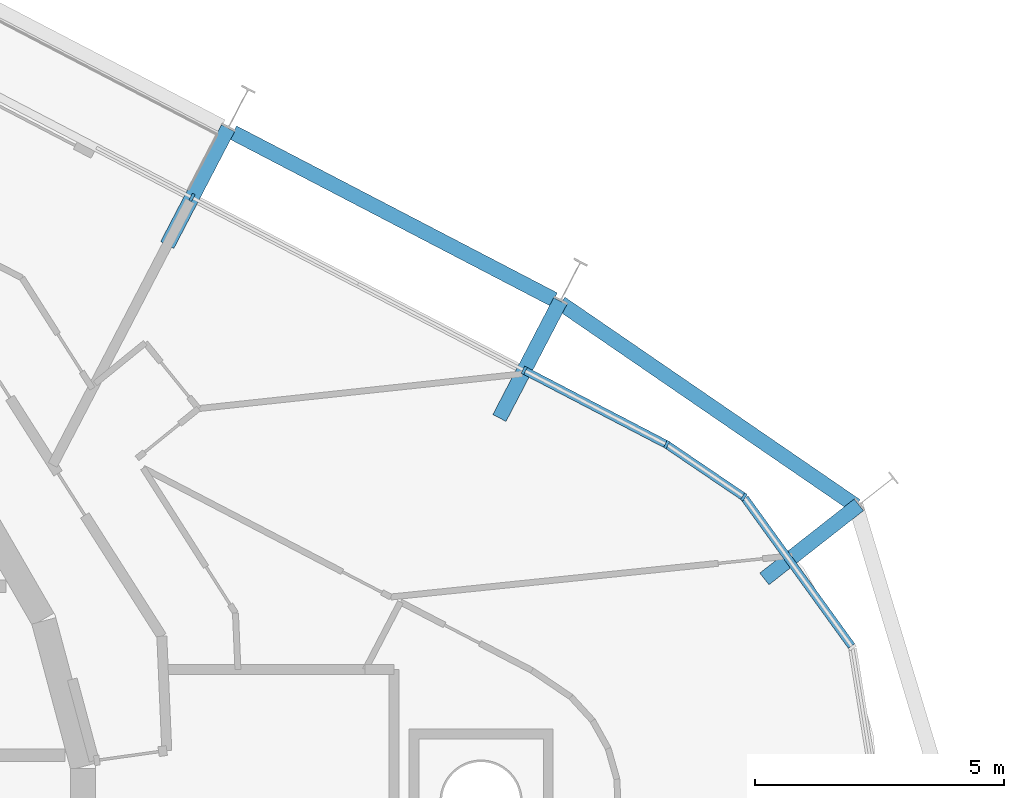
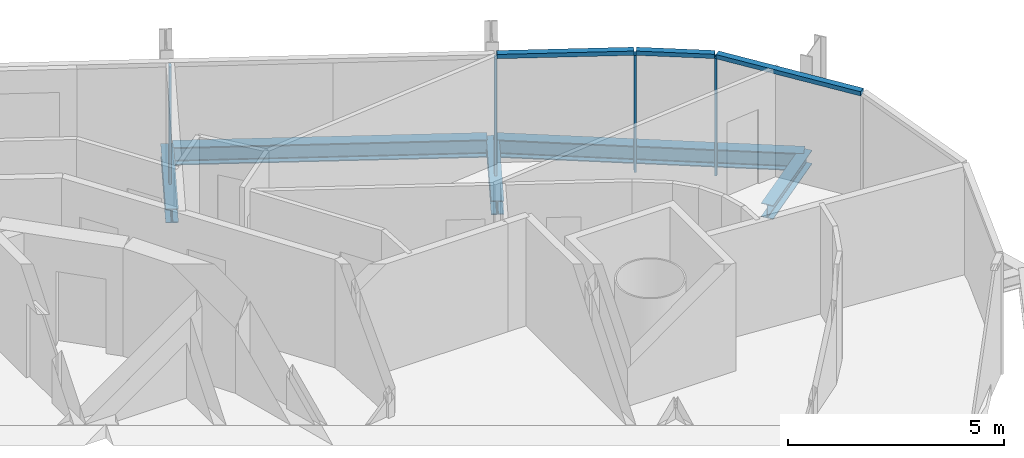
# One storey, part 9 of 18: 7 members, 5 beams, 2 elements without a shape of their own.
"""IFC4 building model written with IfcOpenShell, lengths in metres."""

from ifc_helpers import new_model, si_unit, direction, frame, origin, origin_2d, place, context, subcontext, project, spatial, rectangle, i_section, extrude, material, layer, layer_set, material_profile, profile_set, type_object, element, aggregate, save


model = new_model("IFC4")

# Units and contexts
model_context = context("Model", 3, precision=1e-05, world=origin(), true_north=direction((0.0, 1.0)))
body_context = subcontext(model_context, "Body", "Model", "MODEL_VIEW")
ifc_project = project(units=[si_unit("LENGTHUNIT", "METRE"), si_unit("AREAUNIT", "SQUARE_METRE"), si_unit("VOLUMEUNIT", "CUBIC_METRE"), si_unit("PLANEANGLEUNIT", "RADIAN"), si_unit("MASSUNIT", "GRAM", prefix="KILO")], contexts=[model_context])

# Site, building, storey
site_placement = place(None, origin())
site = spatial("IfcSite", under=ifc_project, at=site_placement, CompositionType="ELEMENT")
building_placement = place(site_placement, origin())
building = spatial("IfcBuilding", under=site, at=building_placement, Name="Spindle Arch Residences", CompositionType="ELEMENT")
storey_placement = place(building_placement, frame((0.0, 0.0, 254.699951171875)))
storey = spatial("IfcBuildingStorey", under=building, at=storey_placement, Name="L65", CompositionType="ELEMENT", Elevation=254.699951171875)

# Curtain wall, members
ifc_material_1 = material(Name="Aluminium bronze unitised frame with tinted glass", Category="aluminium")
ifc_layer_1 = layer(ifc_material_1, 0.159912109375)
ifc_layer_set_1 = layer_set([ifc_layer_1], Name="CW-D corner wall on the fillet arcs")
curtain_wall_type_1 = type_object("IfcCurtainWallType", Name="CW-D corner wall on the fillet arcs", PredefinedType="NOTDEFINED", material=ifc_layer_set_1)
curtain_wall_1_placement = place(storey_placement, origin())
curtain_wall_1 = element("IfcCurtainWall", 1, at=curtain_wall_1_placement, inside=storey, type_object=curtain_wall_type_1, Name="CW-D L65 run 1", PredefinedType="NOTDEFINED")
ifc_material_2 = material(Name="Aluminium bronze anodised mullion", Category="aluminium")
ifc_material_profile_1 = material_profile(ifc_material_2, rectangle(XDim=0.159912109375, YDim=0.06005859375, at=origin_2d()), Name="MU 60x160")
ifc_profile_set_1 = profile_set([ifc_material_profile_1], Name="Aluminium bronze anodised mullion")
member_type_1 = type_object("IfcMemberType", Name="Bronze mullion 60x160", PredefinedType="MULLION", material=ifc_profile_set_1)
member_1_placement = place(storey_placement, frame((24.93310546875, 6.971435546875, -0.3798828125), z_axis=(0.0, 0.0, 1.0), x_axis=(-0.561602105546, -0.827407441981, 0.0)))
member_1 = element("IfcMember", 2, at=member_1_placement, type_object=member_type_1, Name="CW-D mullion 05", PredefinedType="MULLION", context=body_context, shape_type="SweptSolid", body=[
    extrude(rectangle(XDim=0.159912109375, YDim=0.06005859375, at=origin_2d()), origin(), (0.0, 0.0, 1.0), 3.309814453125),
])
member_2_placement = place(storey_placement, frame((23.380859375, 8.02490234375, -0.3798828125), z_axis=(0.0, 0.0, 1.0), x_axis=(-0.461748613235, -0.887010833178, 0.0)))
member_2 = element("IfcMember", 3, at=member_2_placement, type_object=member_type_1, Name="CW-D mullion 06", PredefinedType="MULLION", context=body_context, shape_type="SweptSolid", body=[
    extrude(rectangle(XDim=0.159912109375, YDim=0.06005859375, at=origin_2d()), origin(), (0.0, 0.0, 1.0), 3.309814453125),
])

ifc_material_3 = material(Name="Aluminium bronze unitised frame with tinted glass", Category="aluminium")
ifc_layer_2 = layer(ifc_material_3, 0.159912109375)
ifc_layer_set_2 = layer_set([ifc_layer_2], Name="CW-C typical residential unitised wall")
curtain_wall_type_2 = type_object("IfcCurtainWallType", Name="CW-C typical residential unitised wall", PredefinedType="NOTDEFINED", material=ifc_layer_set_2)
curtain_wall_2_placement = place(storey_placement, origin())
curtain_wall_2 = element("IfcCurtainWall", 4, at=curtain_wall_2_placement, inside=storey, type_object=curtain_wall_type_2, Name="CW-C L65 run 2", PredefinedType="NOTDEFINED")
member_3_placement = place(storey_placement, frame((20.517333984375, 9.515625, -0.3798828125), z_axis=(0.0, 0.0, 1.0), x_axis=(-0.461748613235, -0.887010833178, 0.0)))
member_3 = element("IfcMember", 5, at=member_3_placement, type_object=member_type_1, Name="CW-C mullion 05", PredefinedType="MULLION", context=body_context, shape_type="SweptSolid", body=[
    extrude(rectangle(XDim=0.159912109375, YDim=0.06005859375, at=origin_2d()), origin(), (0.0, 0.0, 1.0), 3.309814453125),
])
member_4_placement = place(storey_placement, frame((13.837890625, 12.99267578125, -0.3798828125), z_axis=(0.0, 0.0, 1.0), x_axis=(-0.461748613235, -0.887010833178, 0.0)))
member_4 = element("IfcMember", 6, at=member_4_placement, type_object=member_type_1, Name="CW-C mullion 06", PredefinedType="MULLION", context=body_context, shape_type="SweptSolid", body=[
    extrude(rectangle(XDim=0.159912109375, YDim=0.06005859375, at=origin_2d()), origin(), (0.0, 0.0, 1.0), 3.309814453125),
])
aggregate(curtain_wall_2, [member_3, member_4])

# Member
ifc_material_4 = material(Name="Aluminium bronze anodised transom", Category="aluminium")
ifc_material_profile_2 = material_profile(ifc_material_4, rectangle(XDim=0.159912109375, YDim=0.1201171875, at=origin_2d()), Name="TR 120x160")
ifc_profile_set_2 = profile_set([ifc_material_profile_2], Name="Aluminium bronze anodised transom")
member_type_2 = type_object("IfcMemberType", Name="Bronze transom 120x160", PredefinedType="USERDEFINED", material=ifc_profile_set_2)
member_5_placement = place(storey_placement, frame((27.097412109375, 3.974365234375, 2.989990234375), z_axis=(-0.585456519469, 0.810703807695, 0.0), x_axis=(-0.810703807695, -0.585456519469, 0.0)))
member_5 = element("IfcMember", 7, at=member_5_placement, type_object=member_type_2, Name="CW-D transom 04", ObjectType="TRANSOM", PredefinedType="USERDEFINED", context=body_context, shape_type="SweptSolid", body=[
    extrude(rectangle(XDim=0.159912109375, YDim=0.1201171875, at=origin_2d()), origin(), (0.0, 0.0, 1.0), 3.666748046875),
])

member_6_placement = place(storey_placement, frame((24.908447265625, 6.98828125, 2.989990234375), z_axis=(-0.827451234698, 0.561537580396, 0.0), x_axis=(-0.561537580396, -0.827451234698, 0.0)))
member_6 = element("IfcMember", 8, at=member_6_placement, type_object=member_type_2, Name="CW-D transom 05", ObjectType="TRANSOM", PredefinedType="USERDEFINED", context=body_context, shape_type="SweptSolid", body=[
    extrude(rectangle(XDim=0.159912109375, YDim=0.1201171875, at=origin_2d()), origin(), (0.0, 0.0, 1.0), 1.816162109375),
])

member_7_placement = place(storey_placement, frame((23.354248046875, 8.038818359375, 2.989990234375), z_axis=(-0.886987077292, 0.461794245002, 0.0), x_axis=(-0.461794245002, -0.886987077292, 0.0)))
member_7 = element("IfcMember", 9, at=member_7_placement, type_object=member_type_2, Name="CW-D transom 06", ObjectType="TRANSOM", PredefinedType="USERDEFINED", context=body_context, shape_type="SweptSolid", body=[
    extrude(rectangle(XDim=0.159912109375, YDim=0.1201171875, at=origin_2d()), origin(), (0.0, 0.0, 1.0), 3.16845703125),
])

aggregate(curtain_wall_1, [member_5, member_1, member_6, member_2, member_7])

# Beams
ifc_material_5 = material(Name="Steel S460ML, intumescent coating R 120", Category="steel")
ifc_material_profile_3 = material_profile(ifc_material_5, i_section(OverallWidth=0.300048828125, OverallDepth=0.5, WebThickness=0.014404296875, FlangeThickness=0.028076171875, FilletRadius=0.027099609375, at=origin_2d()), Name="HEB 500")
ifc_profile_set_3 = profile_set([ifc_material_profile_3], Name="Steel S460ML, intumescent coating R 120")
beam_type_1 = type_object("IfcBeamType", Name="Exoskeleton edge beam HEB 500", PredefinedType="BEAM", material=ifc_profile_set_3)
beam_1_placement = place(storey_placement, frame((27.1845703125, 6.7939453125, -0.6298828125), z_axis=(-0.82461761875, 0.565690536289, 0.0), x_axis=(-0.565690536289, -0.82461761875, 0.0)))
element("IfcBeam", 10, at=beam_1_placement, inside=storey, type_object=beam_type_1, Name="Exoskeleton edge beam 5", PredefinedType="BEAM", context=body_context, shape_type="SweptSolid", body=[
    extrude(i_section(OverallWidth=0.300048828125, OverallDepth=0.5, WebThickness=0.014404296875, FlangeThickness=0.028076171875, FilletRadius=0.027099609375, at=origin_2d()), origin(), (0.0, 0.0, 1.0), 7.196044921875),
])
beam_2_placement = place(storey_placement, frame((21.113037109375, 10.94189453125, -0.6298828125), z_axis=(-0.887028136443, 0.461715372452, 0.0), x_axis=(-0.461715372452, -0.887028136443, 0.0)))
element("IfcBeam", 11, at=beam_2_placement, inside=storey, type_object=beam_type_1, Name="Exoskeleton edge beam 6", PredefinedType="BEAM", context=body_context, shape_type="SweptSolid", body=[
    extrude(i_section(OverallWidth=0.300048828125, OverallDepth=0.5, WebThickness=0.014404296875, FlangeThickness=0.028076171875, FilletRadius=0.027099609375, at=origin_2d()), origin(), (0.0, 0.0, 1.0), 7.27001953125),
])
ifc_material_6 = material(Name="Steel S460ML, intumescent coating R 120", Category="steel")
ifc_material_profile_4 = material_profile(ifc_material_6, i_section(OverallWidth=0.300048828125, OverallDepth=0.389892578125, WebThickness=0.010986328125, FlangeThickness=0.01904296875, FilletRadius=0.027099609375, at=origin_2d()), Name="HEA 400")
ifc_profile_set_4 = profile_set([ifc_material_profile_4], Name="Steel S460ML, intumescent coating R 120")
beam_type_2 = type_object("IfcBeamType", Name="Floor outrigger HEA 400", PredefinedType="BEAM", material=ifc_profile_set_4)
beam_3_placement = place(storey_placement, frame((27.244140625, 6.81201171875, -0.574951171875), z_axis=(-0.786970935565, -0.616990070079, 0.0), x_axis=(0.616990070079, -0.786970935565, 0.0)))
element("IfcBeam", 12, at=beam_3_placement, inside=storey, type_object=beam_type_2, Name="Floor outrigger 5", PredefinedType="BEAM", context=body_context, shape_type="SweptSolid", body=[
    extrude(i_section(OverallWidth=0.300048828125, OverallDepth=0.389892578125, WebThickness=0.010986328125, FlangeThickness=0.01904296875, FilletRadius=0.027099609375, at=origin_2d()), origin(), (0.0, 0.0, 1.0), 2.412841796875),
])
for number, where, z_axis, x_axis, name in (
    (13, (21.2421875, 10.908203125, -0.574951171875), (-0.461784931359, -0.886991926215, 0.0), (0.886991926215, -0.461784931359, 0.0), "Floor outrigger 6"),
    (14, (14.56298828125, 14.38525390625, -0.574951171875), (-0.461784931359, -0.886991926215, 0.0), (0.886991926215, -0.461784931359, 0.0), "Floor outrigger 7"),
):
    element("IfcBeam", number, at=place(storey_placement, frame(where, z_axis=z_axis, x_axis=x_axis)), inside=storey, type_object=beam_type_2, Name=name, PredefinedType="BEAM", context=body_context, shape_type="SweptSolid", body=[
        extrude(i_section(OverallWidth=0.300048828125, OverallDepth=0.389892578125, WebThickness=0.010986328125, FlangeThickness=0.01904296875, FilletRadius=0.027099609375, at=origin_2d()), origin(), (0.0, 0.0, 1.0), 2.64990234375),
    ])

save(model, "model.ifc")
